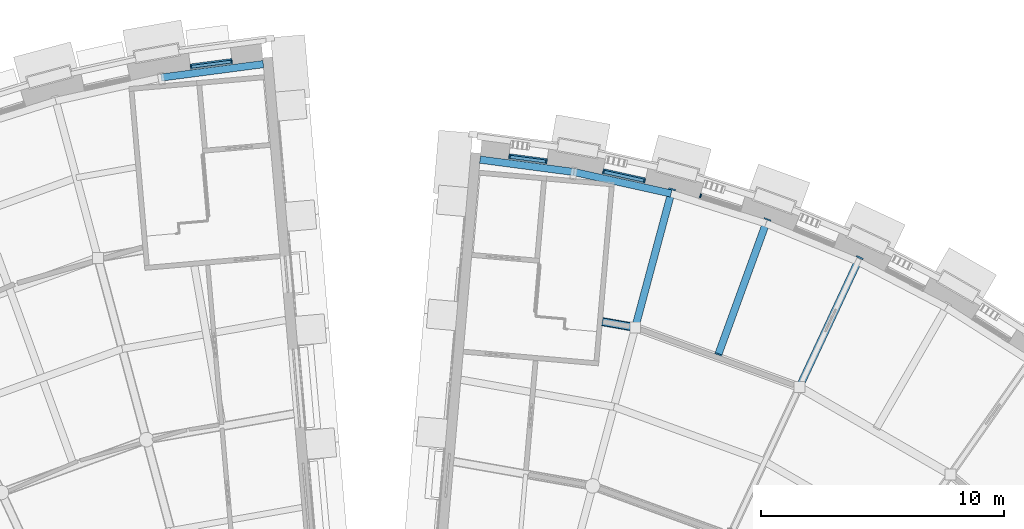
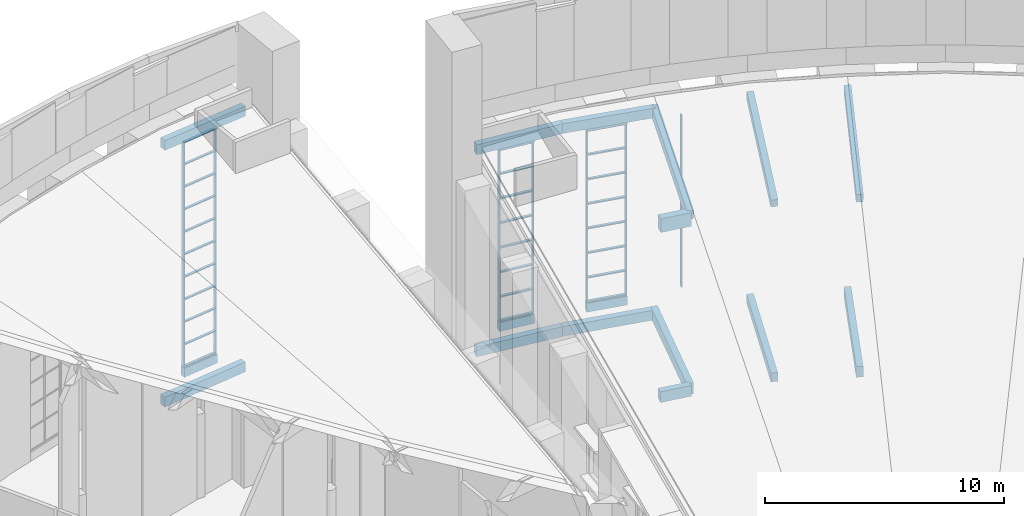
# One storey, part 28 of 82: 34 members, 20 beams, 4 elements without a shape of their own.
"""IFC4 building model written with IfcOpenShell, lengths in metres."""

from ifc_helpers import new_model, si_unit, direction, frame, origin, origin_2d, place, context, subcontext, project, spatial, rectangle, extrude, material, layer, layer_set, material_profile, profile_set, type_object, element, aggregate, save


model = new_model("IFC4")

# Units and contexts
model_context = context("Model", 3, precision=1e-05, world=origin(), true_north=direction((0.0, 1.0)))
body_context = subcontext(model_context, "Body", "Model", "MODEL_VIEW")
ifc_project = project(units=[si_unit("LENGTHUNIT", "METRE"), si_unit("AREAUNIT", "SQUARE_METRE"), si_unit("VOLUMEUNIT", "CUBIC_METRE"), si_unit("PLANEANGLEUNIT", "RADIAN"), si_unit("MASSUNIT", "GRAM", prefix="KILO")], contexts=[model_context])

# Site, building, storey
site_placement = place(None, origin())
site = spatial("IfcSite", under=ifc_project, at=site_placement, CompositionType="ELEMENT")
building_placement = place(site_placement, origin())
building = spatial("IfcBuilding", under=site, at=building_placement, Name="Volute Hill Aquarium", CompositionType="ELEMENT")
storey_placement = place(building_placement, frame((0.0, 0.0, 13.800048828125)))
storey = spatial("IfcBuildingStorey", under=building, at=storey_placement, Name="L04", CompositionType="ELEMENT", Elevation=13.800048828125)

# Beams
ifc_material_1 = material(Name="Concrete C35/45", Category="concrete")
ifc_material_profile_1 = material_profile(ifc_material_1, rectangle(XDim=0.300048828125, YDim=0.550048828125, at=origin_2d()), Name="RC beam 300x550")
ifc_profile_set_1 = profile_set([ifc_material_profile_1], Name="Concrete C35/45")
beam_type_1 = type_object("IfcBeamType", Name="Beam 300x550 C35/45", PredefinedType="BEAM", material=ifc_profile_set_1)
for number, where, z_axis, x_axis, name in (
    (1, (17.448974609375, 37.419189453125, -0.56494140625), (0.422609588136, 0.906311831554, 0.0), (-0.906311831554, 0.422609588136, 0.0), "bm/S5/L04/rad3.12"),
    (2, (10.68603515625, 39.880615234375, -0.56494140625), (0.258815877772, 0.965926674967, 0.0), (-0.965926674967, 0.258815877772, 0.0), "bm/S5/L04/rad4.16"),
):
    element("IfcBeam", number, at=place(storey_placement, frame(where, z_axis=z_axis, x_axis=x_axis)), inside=storey, type_object=beam_type_1, Name=name, PredefinedType="BEAM", context=body_context, shape_type="SweptSolid", body=[
        extrude(rectangle(XDim=0.300048828125, YDim=0.550048828125, at=origin_2d()), origin(), (0.0, 0.0, 1.0), 5.862548828125),
    ])
beam_1_placement = place(storey_placement, frame((10.68603515625, 39.880615234375, -0.56494140625), z_axis=(-0.984805002764, 0.173663774378, 0.0), x_axis=(-0.173663774378, -0.984805002764, 0.0)))
element("IfcBeam", 3, at=beam_1_placement, inside=storey, type_object=beam_type_1, Name="bm/S5/L04/ring3.31", PredefinedType="BEAM", context=body_context, shape_type="SweptSolid", body=[
    extrude(rectangle(XDim=0.300048828125, YDim=0.550048828125, at=origin_2d()), origin(), (0.0, 0.0, 1.0), 1.375),
])
ifc_material_2 = material(Name="Concrete C35/45", Category="concrete")
ifc_material_profile_2 = material_profile(ifc_material_2, rectangle(XDim=0.35009765625, YDim=0.699951171875, at=origin_2d()), Name="RC beam 350x700")
ifc_profile_set_2 = profile_set([ifc_material_profile_2], Name="Concrete C35/45")
beam_type_2 = type_object("IfcBeamType", Name="Beam 350x700 C35/45", PredefinedType="BEAM", material=ifc_profile_set_2)
beam_2_placement = place(storey_placement, frame((10.68603515625, 39.880615234375, 8.207275390625), z_axis=(-0.984805002764, 0.173663774378, 0.0), x_axis=(-0.173663774378, -0.984805002764, 0.0)))
element("IfcBeam", 4, at=beam_2_placement, inside=storey, type_object=beam_type_2, Name="rb/S5/L04/ring3.31", PredefinedType="BEAM", context=body_context, shape_type="SweptSolid", body=[
    extrude(rectangle(XDim=0.35009765625, YDim=0.699951171875, at=origin_2d()), origin(), (0.0, 0.0, 1.0), 1.375),
])

# Curtain wall, member
ifc_material_3 = material(Name="Aluminium", Category="aluminium")
ifc_layer_1 = layer(ifc_material_3, 0.25)
ifc_layer_set_1 = layer_set([ifc_layer_1], Name="Curtain wall niche S5 module 1786")
curtain_wall_type_1 = type_object("IfcCurtainWallType", Name="Curtain wall niche S5 module 1786", PredefinedType="NOTDEFINED", material=ifc_layer_set_1)
curtain_wall_1_placement = place(storey_placement, origin())
curtain_wall_1 = element("IfcCurtainWall", 5, at=curtain_wall_1_placement, inside=storey, type_object=curtain_wall_type_1, Name="Curtain wall CW S5 L04 8", PredefinedType="NOTDEFINED")
ifc_material_4 = material(Name="Aluminium", Category="aluminium")
ifc_material_profile_3 = material_profile(ifc_material_4, rectangle(XDim=0.159912109375, YDim=0.06005859375, at=origin_2d()), Name="Curtain wall mullion S5 60x160")
ifc_profile_set_3 = profile_set([ifc_material_profile_3], Name="Aluminium")
member_type_1 = type_object("IfcMemberType", Name="Curtain wall mullion S5 60x160", PredefinedType="MULLION", material=ifc_profile_set_3)
member_1_placement = place(storey_placement, frame((13.37939453125, 45.30322265625, 0.449951171875), z_axis=(0.0, 0.0, 1.0), x_axis=(-0.300703569139, -0.953717653977, 0.0)))
member_1 = element("IfcMember", 6, at=member_1_placement, type_object=member_type_1, Name="CW mullion 2", PredefinedType="MULLION", context=body_context, shape_type="SweptSolid", body=[
    extrude(rectangle(XDim=0.159912109375, YDim=0.06005859375, at=origin_2d()), origin(), (0.0, 0.0, 1.0), 8.77587890625),
])
aggregate(curtain_wall_1, [member_1])

# Curtain wall, members
curtain_wall_2_placement = place(storey_placement, origin())
curtain_wall_2 = element("IfcCurtainWall", 7, at=curtain_wall_2_placement, inside=storey, type_object=curtain_wall_type_1, Name="Curtain wall CW S5 L04 9", PredefinedType="NOTDEFINED")
member_2_placement = place(storey_placement, frame((11.064697265625, 45.92333984375, 0.449951171875), z_axis=(0.0, 0.0, 1.0), x_axis=(-0.216422253758, -0.976299855617, 0.0)))
member_2 = element("IfcMember", 8, at=member_2_placement, type_object=member_type_1, Name="CW mullion 1", PredefinedType="MULLION", context=body_context, shape_type="SweptSolid", body=[
    extrude(rectangle(XDim=0.159912109375, YDim=0.06005859375, at=origin_2d()), origin(), (0.0, 0.0, 1.0), 8.77587890625),
])
member_3_placement = place(storey_placement, frame((9.3798828125, 46.296875, 0.449951171875), z_axis=(0.0, 0.0, 1.0), x_axis=(-0.216422253758, -0.976299855617, 0.0)))
member_3 = element("IfcMember", 9, at=member_3_placement, type_object=member_type_1, Name="CW mullion 2", PredefinedType="MULLION", context=body_context, shape_type="SweptSolid", body=[
    extrude(rectangle(XDim=0.159912109375, YDim=0.06005859375, at=origin_2d()), origin(), (0.0, 0.0, 1.0), 8.77587890625),
])

ifc_material_5 = material(Name="Aluminium", Category="aluminium")
ifc_layer_2 = layer(ifc_material_5, 0.25)
ifc_layer_set_2 = layer_set([ifc_layer_2], Name="Curtain wall niche S5 module 1585")
curtain_wall_type_2 = type_object("IfcCurtainWallType", Name="Curtain wall niche S5 module 1585", PredefinedType="NOTDEFINED", material=ifc_layer_set_2)
curtain_wall_3_placement = place(storey_placement, origin())
curtain_wall_3 = element("IfcCurtainWall", 10, at=curtain_wall_3_placement, inside=storey, type_object=curtain_wall_type_2, Name="Curtain wall CW S5 L04 10", PredefinedType="NOTDEFINED")
member_4_placement = place(storey_placement, frame((7.020263671875, 46.712890625, 0.449951171875), z_axis=(0.0, 0.0, 1.0), x_axis=(-0.130539029372, -0.991443171246, 0.0)))
member_4 = element("IfcMember", 11, at=member_4_placement, type_object=member_type_1, Name="CW mullion 1", PredefinedType="MULLION", context=body_context, shape_type="SweptSolid", body=[
    extrude(rectangle(XDim=0.159912109375, YDim=0.06005859375, at=origin_2d()), origin(), (0.0, 0.0, 1.0), 8.7783203125),
])
member_5_placement = place(storey_placement, frame((5.5078125, 46.912109375, 0.449951171875), z_axis=(0.0, 0.0, 1.0), x_axis=(-0.130539029372, -0.991443171246, 0.0)))
member_5 = element("IfcMember", 12, at=member_5_placement, type_object=member_type_1, Name="CW mullion 2", PredefinedType="MULLION", context=body_context, shape_type="SweptSolid", body=[
    extrude(rectangle(XDim=0.159912109375, YDim=0.06005859375, at=origin_2d()), origin(), (0.0, 0.0, 1.0), 8.7783203125),
])

ifc_material_6 = material(Name="Aluminium", Category="aluminium")
ifc_layer_3 = layer(ifc_material_6, 0.25)
ifc_layer_set_3 = layer_set([ifc_layer_3], Name="Curtain wall niche S6 module 1734")
curtain_wall_type_3 = type_object("IfcCurtainWallType", Name="Curtain wall niche S6 module 1734", PredefinedType="NOTDEFINED", material=ifc_layer_set_3)
curtain_wall_4_placement = place(storey_placement, origin())
curtain_wall_4 = element("IfcCurtainWall", 13, at=curtain_wall_4_placement, inside=storey, type_object=curtain_wall_type_3, Name="Curtain wall CW S6 L04 1", PredefinedType="NOTDEFINED")
ifc_material_7 = material(Name="Aluminium", Category="aluminium")
ifc_material_profile_4 = material_profile(ifc_material_7, rectangle(XDim=0.169921875, YDim=0.050048828125, at=origin_2d()), Name="Curtain wall mullion S6 50x170")
ifc_profile_set_4 = profile_set([ifc_material_profile_4], Name="Aluminium")
member_type_2 = type_object("IfcMemberType", Name="Curtain wall mullion S6 50x170", PredefinedType="MULLION", material=ifc_profile_set_4)
member_6_placement = place(storey_placement, frame((-5.9443359375, 50.8349609375, 0.449951171875), z_axis=(0.0, 0.0, 1.0), x_axis=(0.130524493298, -0.99144508504, 0.0)))
member_6 = element("IfcMember", 14, at=member_6_placement, type_object=member_type_2, Name="CW mullion 1", PredefinedType="MULLION", context=body_context, shape_type="SweptSolid", body=[
    extrude(rectangle(XDim=0.169921875, YDim=0.050048828125, at=origin_2d()), origin(), (0.0, 0.0, 1.0), 11.49365234375),
])
member_7_placement = place(storey_placement, frame((-7.61376953125, 50.615234375, 0.449951171875), z_axis=(0.0, 0.0, 1.0), x_axis=(0.130524493298, -0.99144508504, 0.0)))
member_7 = element("IfcMember", 15, at=member_7_placement, type_object=member_type_2, Name="CW mullion 2", PredefinedType="MULLION", context=body_context, shape_type="SweptSolid", body=[
    extrude(rectangle(XDim=0.169921875, YDim=0.050048828125, at=origin_2d()), origin(), (0.0, 0.0, 1.0), 11.49365234375),
])

# Member
ifc_material_8 = material(Name="Aluminium", Category="aluminium")
ifc_material_profile_5 = material_profile(ifc_material_8, rectangle(XDim=0.1298828125, YDim=0.06005859375, at=origin_2d()), Name="Curtain wall transom S5 60x130")
ifc_profile_set_5 = profile_set([ifc_material_profile_5], Name="Aluminium")
member_type_3 = type_object("IfcMemberType", Name="Curtain wall transom S5 60x130", PredefinedType="USERDEFINED", material=ifc_profile_set_5)
member_8_placement = place(storey_placement, frame((11.035400390625, 45.929931640625, 0.47998046875), z_axis=(-0.976317934906, 0.216340680366, 0.0), x_axis=(-0.216340680366, -0.976317934906, 0.0)))
member_8 = element("IfcMember", 16, at=member_8_placement, type_object=member_type_3, Name="CW transom 1.1", ObjectType="TRANSOM", PredefinedType="USERDEFINED", context=body_context, shape_type="SweptSolid", body=[
    extrude(rectangle(XDim=0.1298828125, YDim=0.06005859375, at=origin_2d()), origin(), (0.0, 0.0, 1.0), 1.665771484375),
])

member_9_placement = place(storey_placement, frame((11.035400390625, 45.929931640625, 1.70361328125), z_axis=(-0.976317934906, 0.216340680366, 0.0), x_axis=(-0.216340680366, -0.976317934906, 0.0)))
member_9 = element("IfcMember", 17, at=member_9_placement, type_object=member_type_3, Name="CW transom 1.2", ObjectType="TRANSOM", PredefinedType="USERDEFINED", context=body_context, shape_type="SweptSolid", body=[
    extrude(rectangle(XDim=0.1298828125, YDim=0.06005859375, at=origin_2d()), origin(), (0.0, 0.0, 1.0), 1.665771484375),
])

member_10_placement = place(storey_placement, frame((11.035400390625, 45.929931640625, 2.957275390625), z_axis=(-0.976317934906, 0.216340680366, 0.0), x_axis=(-0.216340680366, -0.976317934906, 0.0)))
member_10 = element("IfcMember", 18, at=member_10_placement, type_object=member_type_3, Name="CW transom 1.3", ObjectType="TRANSOM", PredefinedType="USERDEFINED", context=body_context, shape_type="SweptSolid", body=[
    extrude(rectangle(XDim=0.1298828125, YDim=0.06005859375, at=origin_2d()), origin(), (0.0, 0.0, 1.0), 1.665771484375),
])

member_11_placement = place(storey_placement, frame((11.035400390625, 45.929931640625, 4.2109375), z_axis=(-0.976317934906, 0.216340680366, 0.0), x_axis=(-0.216340680366, -0.976317934906, 0.0)))
member_11 = element("IfcMember", 19, at=member_11_placement, type_object=member_type_3, Name="CW transom 1.4", ObjectType="TRANSOM", PredefinedType="USERDEFINED", context=body_context, shape_type="SweptSolid", body=[
    extrude(rectangle(XDim=0.1298828125, YDim=0.06005859375, at=origin_2d()), origin(), (0.0, 0.0, 1.0), 1.665771484375),
])

member_12_placement = place(storey_placement, frame((11.035400390625, 45.929931640625, 5.46484375), z_axis=(-0.976317934906, 0.216340680366, 0.0), x_axis=(-0.216340680366, -0.976317934906, 0.0)))
member_12 = element("IfcMember", 20, at=member_12_placement, type_object=member_type_3, Name="CW transom 1.5", ObjectType="TRANSOM", PredefinedType="USERDEFINED", context=body_context, shape_type="SweptSolid", body=[
    extrude(rectangle(XDim=0.1298828125, YDim=0.06005859375, at=origin_2d()), origin(), (0.0, 0.0, 1.0), 1.665771484375),
])

member_13_placement = place(storey_placement, frame((11.035400390625, 45.929931640625, 6.718505859375), z_axis=(-0.976317934906, 0.216340680366, 0.0), x_axis=(-0.216340680366, -0.976317934906, 0.0)))
member_13 = element("IfcMember", 21, at=member_13_placement, type_object=member_type_3, Name="CW transom 1.6", ObjectType="TRANSOM", PredefinedType="USERDEFINED", context=body_context, shape_type="SweptSolid", body=[
    extrude(rectangle(XDim=0.1298828125, YDim=0.06005859375, at=origin_2d()), origin(), (0.0, 0.0, 1.0), 1.665771484375),
])

member_14_placement = place(storey_placement, frame((11.035400390625, 45.929931640625, 7.97216796875), z_axis=(-0.976317934906, 0.216340680366, 0.0), x_axis=(-0.216340680366, -0.976317934906, 0.0)))
member_14 = element("IfcMember", 22, at=member_14_placement, type_object=member_type_3, Name="CW transom 1.7", ObjectType="TRANSOM", PredefinedType="USERDEFINED", context=body_context, shape_type="SweptSolid", body=[
    extrude(rectangle(XDim=0.1298828125, YDim=0.06005859375, at=origin_2d()), origin(), (0.0, 0.0, 1.0), 1.665771484375),
])

member_15_placement = place(storey_placement, frame((11.035400390625, 45.929931640625, 9.19580078125), z_axis=(-0.976317934906, 0.216340680366, 0.0), x_axis=(-0.216340680366, -0.976317934906, 0.0)))
member_15 = element("IfcMember", 23, at=member_15_placement, type_object=member_type_3, Name="CW transom 1.8", ObjectType="TRANSOM", PredefinedType="USERDEFINED", context=body_context, shape_type="SweptSolid", body=[
    extrude(rectangle(XDim=0.1298828125, YDim=0.06005859375, at=origin_2d()), origin(), (0.0, 0.0, 1.0), 1.665771484375),
])

aggregate(curtain_wall_2, [member_2, member_3, member_8, member_9, member_10, member_11, member_12, member_13, member_14, member_15])

member_16_placement = place(storey_placement, frame((6.990478515625, 46.716796875, 0.47998046875), z_axis=(-0.99143330185, 0.130613965493, 0.0), x_axis=(-0.130613965493, -0.99143330185, 0.0)))
member_16 = element("IfcMember", 24, at=member_16_placement, type_object=member_type_3, Name="CW transom 1.1", ObjectType="TRANSOM", PredefinedType="USERDEFINED", context=body_context, shape_type="SweptSolid", body=[
    extrude(rectangle(XDim=0.1298828125, YDim=0.06005859375, at=origin_2d()), origin(), (0.0, 0.0, 1.0), 1.46533203125),
])

member_17_placement = place(storey_placement, frame((6.990478515625, 46.716796875, 1.7041015625), z_axis=(-0.99143330185, 0.130613965493, 0.0), x_axis=(-0.130613965493, -0.99143330185, 0.0)))
member_17 = element("IfcMember", 25, at=member_17_placement, type_object=member_type_3, Name="CW transom 1.2", ObjectType="TRANSOM", PredefinedType="USERDEFINED", context=body_context, shape_type="SweptSolid", body=[
    extrude(rectangle(XDim=0.1298828125, YDim=0.06005859375, at=origin_2d()), origin(), (0.0, 0.0, 1.0), 1.46533203125),
])

member_18_placement = place(storey_placement, frame((6.990478515625, 46.716796875, 2.9580078125), z_axis=(-0.99143330185, 0.130613965493, 0.0), x_axis=(-0.130613965493, -0.99143330185, 0.0)))
member_18 = element("IfcMember", 26, at=member_18_placement, type_object=member_type_3, Name="CW transom 1.3", ObjectType="TRANSOM", PredefinedType="USERDEFINED", context=body_context, shape_type="SweptSolid", body=[
    extrude(rectangle(XDim=0.1298828125, YDim=0.06005859375, at=origin_2d()), origin(), (0.0, 0.0, 1.0), 1.46533203125),
])

member_19_placement = place(storey_placement, frame((6.990478515625, 46.716796875, 4.212158203125), z_axis=(-0.99143330185, 0.130613965493, 0.0), x_axis=(-0.130613965493, -0.99143330185, 0.0)))
member_19 = element("IfcMember", 27, at=member_19_placement, type_object=member_type_3, Name="CW transom 1.4", ObjectType="TRANSOM", PredefinedType="USERDEFINED", context=body_context, shape_type="SweptSolid", body=[
    extrude(rectangle(XDim=0.1298828125, YDim=0.06005859375, at=origin_2d()), origin(), (0.0, 0.0, 1.0), 1.46533203125),
])

member_20_placement = place(storey_placement, frame((6.990478515625, 46.716796875, 5.466064453125), z_axis=(-0.99143330185, 0.130613965493, 0.0), x_axis=(-0.130613965493, -0.99143330185, 0.0)))
member_20 = element("IfcMember", 28, at=member_20_placement, type_object=member_type_3, Name="CW transom 1.5", ObjectType="TRANSOM", PredefinedType="USERDEFINED", context=body_context, shape_type="SweptSolid", body=[
    extrude(rectangle(XDim=0.1298828125, YDim=0.06005859375, at=origin_2d()), origin(), (0.0, 0.0, 1.0), 1.46533203125),
])

member_21_placement = place(storey_placement, frame((6.990478515625, 46.716796875, 6.72021484375), z_axis=(-0.99143330185, 0.130613965493, 0.0), x_axis=(-0.130613965493, -0.99143330185, 0.0)))
member_21 = element("IfcMember", 29, at=member_21_placement, type_object=member_type_3, Name="CW transom 1.6", ObjectType="TRANSOM", PredefinedType="USERDEFINED", context=body_context, shape_type="SweptSolid", body=[
    extrude(rectangle(XDim=0.1298828125, YDim=0.06005859375, at=origin_2d()), origin(), (0.0, 0.0, 1.0), 1.46533203125),
])

member_22_placement = place(storey_placement, frame((6.990478515625, 46.716796875, 7.97412109375), z_axis=(-0.99143330185, 0.130613965493, 0.0), x_axis=(-0.130613965493, -0.99143330185, 0.0)))
member_22 = element("IfcMember", 30, at=member_22_placement, type_object=member_type_3, Name="CW transom 1.7", ObjectType="TRANSOM", PredefinedType="USERDEFINED", context=body_context, shape_type="SweptSolid", body=[
    extrude(rectangle(XDim=0.1298828125, YDim=0.06005859375, at=origin_2d()), origin(), (0.0, 0.0, 1.0), 1.46533203125),
])

member_23_placement = place(storey_placement, frame((6.990478515625, 46.716796875, 9.1982421875), z_axis=(-0.99143330185, 0.130613965493, 0.0), x_axis=(-0.130613965493, -0.99143330185, 0.0)))
member_23 = element("IfcMember", 31, at=member_23_placement, type_object=member_type_3, Name="CW transom 1.8", ObjectType="TRANSOM", PredefinedType="USERDEFINED", context=body_context, shape_type="SweptSolid", body=[
    extrude(rectangle(XDim=0.1298828125, YDim=0.06005859375, at=origin_2d()), origin(), (0.0, 0.0, 1.0), 1.46533203125),
])

aggregate(curtain_wall_3, [member_4, member_5, member_16, member_17, member_18, member_19, member_20, member_21, member_22, member_23])

ifc_material_9 = material(Name="Aluminium", Category="aluminium")
ifc_material_profile_6 = material_profile(ifc_material_9, rectangle(XDim=0.1201171875, YDim=0.050048828125, at=origin_2d()), Name="Curtain wall transom S6 50x120")
ifc_profile_set_6 = profile_set([ifc_material_profile_6], Name="Aluminium")
member_type_4 = type_object("IfcMemberType", Name="Curtain wall transom S6 50x120", PredefinedType="USERDEFINED", material=ifc_profile_set_6)
member_24_placement = place(storey_placement, frame((-5.96923828125, 50.83154296875, 0.474853515625), z_axis=(-0.991452260702, -0.130469976423, 0.0), x_axis=(0.130469976423, -0.991452260702, 0.0)))
member_24 = element("IfcMember", 32, at=member_24_placement, type_object=member_type_4, Name="CW transom 1.1", ObjectType="TRANSOM", PredefinedType="USERDEFINED", context=body_context, shape_type="SweptSolid", body=[
    extrude(rectangle(XDim=0.1201171875, YDim=0.050048828125, at=origin_2d()), origin(), (0.0, 0.0, 1.0), 1.633544921875),
])

member_25_placement = place(storey_placement, frame((-5.96923828125, 50.83154296875, 1.599365234375), z_axis=(-0.991452260702, -0.130469976423, 0.0), x_axis=(0.130469976423, -0.991452260702, 0.0)))
member_25 = element("IfcMember", 33, at=member_25_placement, type_object=member_type_4, Name="CW transom 1.2", ObjectType="TRANSOM", PredefinedType="USERDEFINED", context=body_context, shape_type="SweptSolid", body=[
    extrude(rectangle(XDim=0.1201171875, YDim=0.050048828125, at=origin_2d()), origin(), (0.0, 0.0, 1.0), 1.633544921875),
])

member_26_placement = place(storey_placement, frame((-5.96923828125, 50.83154296875, 2.748779296875), z_axis=(-0.991452260702, -0.130469976423, 0.0), x_axis=(0.130469976423, -0.991452260702, 0.0)))
member_26 = element("IfcMember", 34, at=member_26_placement, type_object=member_type_4, Name="CW transom 1.3", ObjectType="TRANSOM", PredefinedType="USERDEFINED", context=body_context, shape_type="SweptSolid", body=[
    extrude(rectangle(XDim=0.1201171875, YDim=0.050048828125, at=origin_2d()), origin(), (0.0, 0.0, 1.0), 1.633544921875),
])

member_27_placement = place(storey_placement, frame((-5.96923828125, 50.83154296875, 3.89794921875), z_axis=(-0.991452260702, -0.130469976423, 0.0), x_axis=(0.130469976423, -0.991452260702, 0.0)))
member_27 = element("IfcMember", 35, at=member_27_placement, type_object=member_type_4, Name="CW transom 1.4", ObjectType="TRANSOM", PredefinedType="USERDEFINED", context=body_context, shape_type="SweptSolid", body=[
    extrude(rectangle(XDim=0.1201171875, YDim=0.050048828125, at=origin_2d()), origin(), (0.0, 0.0, 1.0), 1.633544921875),
])

member_28_placement = place(storey_placement, frame((-5.96923828125, 50.83154296875, 5.04736328125), z_axis=(-0.991452260702, -0.130469976423, 0.0), x_axis=(0.130469976423, -0.991452260702, 0.0)))
member_28 = element("IfcMember", 36, at=member_28_placement, type_object=member_type_4, Name="CW transom 1.5", ObjectType="TRANSOM", PredefinedType="USERDEFINED", context=body_context, shape_type="SweptSolid", body=[
    extrude(rectangle(XDim=0.1201171875, YDim=0.050048828125, at=origin_2d()), origin(), (0.0, 0.0, 1.0), 1.633544921875),
])

member_29_placement = place(storey_placement, frame((-5.96923828125, 50.83154296875, 6.19677734375), z_axis=(-0.991452260702, -0.130469976423, 0.0), x_axis=(0.130469976423, -0.991452260702, 0.0)))
member_29 = element("IfcMember", 37, at=member_29_placement, type_object=member_type_4, Name="CW transom 1.6", ObjectType="TRANSOM", PredefinedType="USERDEFINED", context=body_context, shape_type="SweptSolid", body=[
    extrude(rectangle(XDim=0.1201171875, YDim=0.050048828125, at=origin_2d()), origin(), (0.0, 0.0, 1.0), 1.633544921875),
])

member_30_placement = place(storey_placement, frame((-5.96923828125, 50.83154296875, 7.34619140625), z_axis=(-0.991452260702, -0.130469976423, 0.0), x_axis=(0.130469976423, -0.991452260702, 0.0)))
member_30 = element("IfcMember", 38, at=member_30_placement, type_object=member_type_4, Name="CW transom 1.7", ObjectType="TRANSOM", PredefinedType="USERDEFINED", context=body_context, shape_type="SweptSolid", body=[
    extrude(rectangle(XDim=0.1201171875, YDim=0.050048828125, at=origin_2d()), origin(), (0.0, 0.0, 1.0), 1.633544921875),
])

member_31_placement = place(storey_placement, frame((-5.96923828125, 50.83154296875, 8.49560546875), z_axis=(-0.991452260702, -0.130469976423, 0.0), x_axis=(0.130469976423, -0.991452260702, 0.0)))
member_31 = element("IfcMember", 39, at=member_31_placement, type_object=member_type_4, Name="CW transom 1.8", ObjectType="TRANSOM", PredefinedType="USERDEFINED", context=body_context, shape_type="SweptSolid", body=[
    extrude(rectangle(XDim=0.1201171875, YDim=0.050048828125, at=origin_2d()), origin(), (0.0, 0.0, 1.0), 1.633544921875),
])

member_32_placement = place(storey_placement, frame((-5.96923828125, 50.83154296875, 9.64501953125), z_axis=(-0.991452260702, -0.130469976423, 0.0), x_axis=(0.130469976423, -0.991452260702, 0.0)))
member_32 = element("IfcMember", 40, at=member_32_placement, type_object=member_type_4, Name="CW transom 1.9", ObjectType="TRANSOM", PredefinedType="USERDEFINED", context=body_context, shape_type="SweptSolid", body=[
    extrude(rectangle(XDim=0.1201171875, YDim=0.050048828125, at=origin_2d()), origin(), (0.0, 0.0, 1.0), 1.633544921875),
])

member_33_placement = place(storey_placement, frame((-5.96923828125, 50.83154296875, 10.794189453125), z_axis=(-0.991452260702, -0.130469976423, 0.0), x_axis=(0.130469976423, -0.991452260702, 0.0)))
member_33 = element("IfcMember", 41, at=member_33_placement, type_object=member_type_4, Name="CW transom 1.10", ObjectType="TRANSOM", PredefinedType="USERDEFINED", context=body_context, shape_type="SweptSolid", body=[
    extrude(rectangle(XDim=0.1201171875, YDim=0.050048828125, at=origin_2d()), origin(), (0.0, 0.0, 1.0), 1.633544921875),
])

member_34_placement = place(storey_placement, frame((-5.96923828125, 50.83154296875, 11.918701171875), z_axis=(-0.991452260702, -0.130469976423, 0.0), x_axis=(0.130469976423, -0.991452260702, 0.0)))
member_34 = element("IfcMember", 42, at=member_34_placement, type_object=member_type_4, Name="CW transom 1.11", ObjectType="TRANSOM", PredefinedType="USERDEFINED", context=body_context, shape_type="SweptSolid", body=[
    extrude(rectangle(XDim=0.1201171875, YDim=0.050048828125, at=origin_2d()), origin(), (0.0, 0.0, 1.0), 1.633544921875),
])

aggregate(curtain_wall_4, [member_6, member_7, member_24, member_25, member_26, member_27, member_28, member_29, member_30, member_31, member_32, member_33, member_34])

# Beams
ifc_material_10 = material(Name="Concrete C35/45", Category="concrete")
ifc_material_profile_7 = material_profile(ifc_material_10, rectangle(XDim=0.300048828125, YDim=0.5, at=origin_2d()), Name="RC edge beam 300x500")
ifc_profile_set_7 = profile_set([ifc_material_profile_7], Name="Concrete C35/45")
beam_type_3 = type_object("IfcBeamType", Name="Edge beam 300x500 C35/45", PredefinedType="BEAM", material=ifc_profile_set_7)
beam_3_placement = place(storey_placement, frame((12.16455078125, 45.3984375, -0.5400390625), z_axis=(-0.97629760978, 0.216432384677, 0.0), x_axis=(-0.216432384677, -0.97629760978, 0.0)))
element("IfcBeam", 43, at=beam_3_placement, inside=storey, type_object=beam_type_3, Name="bm/S5/L04/edgeO.50", PredefinedType="BEAM", context=body_context, shape_type="SweptSolid", body=[
    extrude(rectangle(XDim=0.300048828125, YDim=0.5, at=origin_2d()), origin(), (0.0, 0.0, 1.0), 4.100341796875),
])
beam_4_placement = place(storey_placement, frame((8.161376953125, 46.285888671875, -0.5400390625), z_axis=(-0.99144470424, 0.130527385764, 0.0), x_axis=(-0.130527385764, -0.99144470424, 0.0)))
element("IfcBeam", 44, at=beam_4_placement, inside=storey, type_object=beam_type_3, Name="bm/S5/L04/edgeO.51", PredefinedType="BEAM", context=body_context, shape_type="SweptSolid", body=[
    extrude(rectangle(XDim=0.300048828125, YDim=0.5, at=origin_2d()), origin(), (0.0, 0.0, 1.0), 3.89990234375),
])
beam_5_placement = place(storey_placement, frame((12.16455078125, 45.3984375, 9.77587890625), z_axis=(-0.976235798143, 0.216418681847, 0.011252580707), x_axis=(-0.216432384677, -0.97629760978, 0.0)))
element("IfcBeam", 45, at=beam_5_placement, inside=storey, type_object=beam_type_3, Name="rb/S5/L04/edgeO.50", PredefinedType="BEAM", context=body_context, shape_type="SweptSolid", body=[
    extrude(rectangle(XDim=0.300048828125, YDim=0.5, at=origin_2d()), origin(), (0.0, 0.0, 1.0), 4.1005859375),
])
beam_6_placement = place(storey_placement, frame((8.161376953125, 46.285888671875, 9.822021484375), z_axis=(-0.991381763287, 0.130519099353, -0.011267835915), x_axis=(-0.130527385764, -0.99144470424, 0.0)))
element("IfcBeam", 46, at=beam_6_placement, inside=storey, type_object=beam_type_3, Name="rb/S5/L04/edgeO.51", PredefinedType="BEAM", context=body_context, shape_type="SweptSolid", body=[
    extrude(rectangle(XDim=0.300048828125, YDim=0.5, at=origin_2d()), origin(), (0.0, 0.0, 1.0), 3.900146484375),
])
beam_7_placement = place(storey_placement, frame((-4.63916015625, 50.72998046875, -0.570068359375), z_axis=(-0.991439606288, -0.130566102354, 0.0), x_axis=(0.130566102354, -0.991439606288, 0.0)))
element("IfcBeam", 47, at=beam_7_placement, inside=storey, type_object=beam_type_3, Name="bm/S6/L04/edgeO.42", PredefinedType="BEAM", context=body_context, shape_type="SweptSolid", body=[
    extrude(rectangle(XDim=0.300048828125, YDim=0.5, at=origin_2d()), origin(), (0.0, 0.0, 1.0), 4.24462890625),
])
beam_8_placement = place(storey_placement, frame((-4.63916015625, 50.72998046875, 12.49365234375), z_axis=(-0.991377250943, -0.130557890563, 0.011215325401), x_axis=(0.130566102354, -0.991439606288, 0.0)))
element("IfcBeam", 48, at=beam_8_placement, inside=storey, type_object=beam_type_3, Name="rb/S6/L04/edgeO.42", PredefinedType="BEAM", context=body_context, shape_type="SweptSolid", body=[
    extrude(rectangle(XDim=0.300048828125, YDim=0.5, at=origin_2d()), origin(), (0.0, 0.0, 1.0), 4.244873046875),
])
ifc_material_11 = material(Name="Concrete C35/45", Category="concrete")
ifc_material_profile_8 = material_profile(ifc_material_11, rectangle(XDim=0.300048828125, YDim=0.449951171875, at=origin_2d()), Name="RC joist 300x450")
ifc_profile_set_8 = profile_set([ifc_material_profile_8], Name="Concrete C35/45")
beam_type_4 = type_object("IfcBeamType", Name="Joist 300x450 C35/45", PredefinedType="BEAM", material=ifc_profile_set_8)
beam_9_placement = place(storey_placement, frame((14.12109375, 38.797607421875, -0.51513671875), z_axis=(0.342033956796, 0.939687592979, 0.0), x_axis=(-0.939687592979, 0.342033956796, 0.0)))
element("IfcBeam", 49, at=beam_9_placement, inside=storey, type_object=beam_type_4, Name="bm/S5/L04/rjst4", PredefinedType="BEAM", context=body_context, shape_type="SweptSolid", body=[
    extrude(rectangle(XDim=0.300048828125, YDim=0.449951171875, at=origin_2d()), origin(), (0.0, 0.0, 1.0), 5.8623046875),
])
beam_10_placement = place(storey_placement, frame((14.12109375, 38.797607421875, 8.365478515625), z_axis=(0.331182743176, 0.90987549215, 0.249889134234), x_axis=(-0.939687592979, 0.342033956796, 0.0)))
element("IfcBeam", 50, at=beam_10_placement, inside=storey, type_object=beam_type_4, Name="rb/S5/L04/rjst4", PredefinedType="BEAM", context=body_context, shape_type="SweptSolid", body=[
    extrude(rectangle(XDim=0.300048828125, YDim=0.449951171875, at=origin_2d()), origin(), (0.0, 0.0, 1.0), 6.054443359375),
])
ifc_material_12 = material(Name="Concrete C35/45", Category="concrete")
ifc_material_profile_9 = material_profile(ifc_material_12, rectangle(XDim=0.25, YDim=0.300048828125, at=origin_2d()), Name="RC beam 250x300")
ifc_profile_set_9 = profile_set([ifc_material_profile_9], Name="Concrete C35/45")
beam_type_5 = type_object("IfcBeamType", Name="Niche head beam RC 250x300 C35/45", PredefinedType="BEAM", material=ifc_profile_set_9)
beam_11_placement = place(storey_placement, frame((11.093994140625, 45.9169921875, 9.375732421875), z_axis=(-0.97629311454, 0.216452661109, 0.0), x_axis=(-0.216452661109, -0.97629311454, 0.0)))
element("IfcBeam", 51, at=beam_11_placement, inside=storey, type_object=beam_type_5, Name="Niche head beam OWB S5 L04 9", PredefinedType="BEAM", context=body_context, shape_type="SweptSolid", body=[
    extrude(rectangle(XDim=0.25, YDim=0.300048828125, at=origin_2d()), origin(), (0.0, 0.0, 1.0), 1.785400390625),
])
beam_12_placement = place(storey_placement, frame((7.0498046875, 46.708984375, 9.378173828125), z_axis=(-0.991436464923, 0.130589953752, 0.0), x_axis=(-0.130589953752, -0.991436464923, 0.0)))
element("IfcBeam", 52, at=beam_12_placement, inside=storey, type_object=beam_type_5, Name="Niche head beam OWB S5 L04 10", PredefinedType="BEAM", context=body_context, shape_type="SweptSolid", body=[
    extrude(rectangle(XDim=0.25, YDim=0.300048828125, at=origin_2d()), origin(), (0.0, 0.0, 1.0), 1.58544921875),
])
beam_13_placement = place(storey_placement, frame((-5.919677734375, 50.838134765625, 12.09375), z_axis=(-0.991441828204, -0.130549229367, 0.0), x_axis=(0.130549229367, -0.991441828204, 0.0)))
element("IfcBeam", 53, at=beam_13_placement, inside=storey, type_object=beam_type_5, Name="Niche head beam OWB S6 L04 1", PredefinedType="BEAM", context=body_context, shape_type="SweptSolid", body=[
    extrude(rectangle(XDim=0.25, YDim=0.300048828125, at=origin_2d()), origin(), (0.0, 0.0, 1.0), 1.733642578125),
])
ifc_material_13 = material(Name="Concrete C35/45", Category="concrete")
ifc_material_profile_10 = material_profile(ifc_material_13, rectangle(XDim=0.25, YDim=0.449951171875, at=origin_2d()), Name="RC beam 250x450")
ifc_profile_set_10 = profile_set([ifc_material_profile_10], Name="Concrete C35/45")
beam_type_6 = type_object("IfcBeamType", Name="Niche sill beam RC 250x450 C35/45", PredefinedType="BEAM", material=ifc_profile_set_10)
beam_14_placement = place(storey_placement, frame((11.093994140625, 45.9169921875, 0.224853515625), z_axis=(-0.97629311454, 0.216452661109, 0.0), x_axis=(-0.216452661109, -0.97629311454, 0.0)))
element("IfcBeam", 54, at=beam_14_placement, inside=storey, type_object=beam_type_6, Name="Niche sill beam OWB S5 L04 9", PredefinedType="BEAM", context=body_context, shape_type="SweptSolid", body=[
    extrude(rectangle(XDim=0.25, YDim=0.449951171875, at=origin_2d()), origin(), (0.0, 0.0, 1.0), 1.785400390625),
])
beam_15_placement = place(storey_placement, frame((7.0498046875, 46.708984375, 0.224853515625), z_axis=(-0.991436464923, 0.130589953752, 0.0), x_axis=(-0.130589953752, -0.991436464923, 0.0)))
element("IfcBeam", 55, at=beam_15_placement, inside=storey, type_object=beam_type_6, Name="Niche sill beam OWB S5 L04 10", PredefinedType="BEAM", context=body_context, shape_type="SweptSolid", body=[
    extrude(rectangle(XDim=0.25, YDim=0.449951171875, at=origin_2d()), origin(), (0.0, 0.0, 1.0), 1.58544921875),
])
beam_16_placement = place(storey_placement, frame((-5.919677734375, 50.838134765625, 0.224853515625), z_axis=(-0.991441828204, -0.130549229367, 0.0), x_axis=(0.130549229367, -0.991441828204, 0.0)))
element("IfcBeam", 56, at=beam_16_placement, inside=storey, type_object=beam_type_6, Name="Niche sill beam OWB S6 L04 1", PredefinedType="BEAM", context=body_context, shape_type="SweptSolid", body=[
    extrude(rectangle(XDim=0.25, YDim=0.449951171875, at=origin_2d()), origin(), (0.0, 0.0, 1.0), 1.733642578125),
])
ifc_material_14 = material(Name="Concrete C35/45", Category="concrete")
ifc_material_profile_11 = material_profile(ifc_material_14, rectangle(XDim=0.300048828125, YDim=0.5, at=origin_2d()), Name="RC rib 300x500")
ifc_profile_set_11 = profile_set([ifc_material_profile_11], Name="Concrete C35/45")
beam_type_7 = type_object("IfcBeamType", Name="Roof rib 300x500 C35/45", PredefinedType="BEAM", material=ifc_profile_set_11)
beam_17_placement = place(storey_placement, frame((17.448974609375, 37.419189453125, 8.29931640625), z_axis=(0.409301370882, 0.877771554446, 0.248976878445), x_axis=(-0.906311831554, 0.422609588136, 0.0)))
element("IfcBeam", 57, at=beam_17_placement, inside=storey, type_object=beam_type_7, Name="rb/S5/L04/rib3.12", PredefinedType="BEAM", context=body_context, shape_type="SweptSolid", body=[
    extrude(rectangle(XDim=0.300048828125, YDim=0.5, at=origin_2d()), origin(), (0.0, 0.0, 1.0), 6.052978515625),
])
beam_18_placement = place(storey_placement, frame((10.68603515625, 39.880615234375, 8.29931640625), z_axis=(0.25066594374, 0.935510308132, 0.248971982414), x_axis=(-0.965926674967, 0.258815877772, 0.0)))
element("IfcBeam", 58, at=beam_18_placement, inside=storey, type_object=beam_type_7, Name="rb/S5/L04/rib4.16", PredefinedType="BEAM", context=body_context, shape_type="SweptSolid", body=[
    extrude(rectangle(XDim=0.300048828125, YDim=0.5, at=origin_2d()), origin(), (0.0, 0.0, 1.0), 6.05322265625),
])

save(model, "model.ifc")
